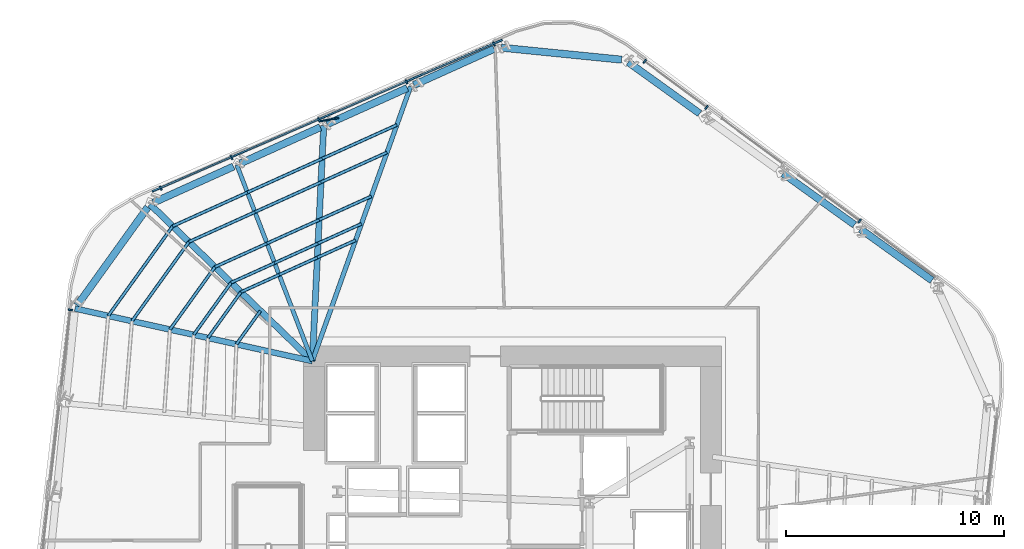
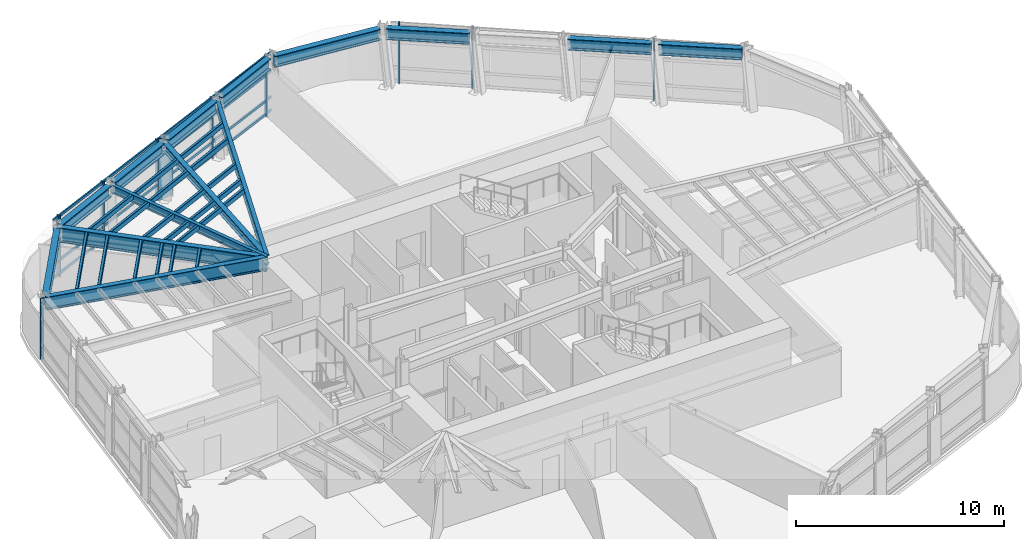
# One storey, part 6 of 16: 35 members, 14 beams, 3 elements without a shape of their own.
"""IFC4 building model written with IfcOpenShell, lengths in metres."""

from ifc_helpers import new_model, si_unit, direction, frame, origin, origin_2d, place, context, subcontext, project, spatial, rectangle, hollow_rectangle, i_section, extrude, material, layer, layer_set, material_profile, profile_set, type_object, element, aggregate, save


model = new_model("IFC4")

# Units and contexts
model_context = context("Model", 3, precision=1e-05, world=origin(), true_north=direction((0.0, 1.0)))
body_context = subcontext(model_context, "Body", "Model", "MODEL_VIEW")
ifc_project = project(units=[si_unit("LENGTHUNIT", "METRE"), si_unit("AREAUNIT", "SQUARE_METRE"), si_unit("VOLUMEUNIT", "CUBIC_METRE"), si_unit("PLANEANGLEUNIT", "RADIAN"), si_unit("MASSUNIT", "GRAM", prefix="KILO")], contexts=[model_context])

# Site, building, storey
site_placement = place(None, origin())
site = spatial("IfcSite", under=ifc_project, at=site_placement, CompositionType="ELEMENT")
building_placement = place(site_placement, origin())
building = spatial("IfcBuilding", under=site, at=building_placement, Name="Valkerne Bourse Tower", CompositionType="ELEMENT")
storey_placement = place(building_placement, frame((0.0, 0.0, 123.800048828125)))
storey = spatial("IfcBuildingStorey", under=building, at=storey_placement, Name="L31", CompositionType="ELEMENT", Elevation=123.800048828125)

# Beams
ifc_material_1 = material(Name="Steel ASTM A992", Category="steel")
ifc_material_profile_1 = material_profile(ifc_material_1, i_section(OverallWidth=0.1904296875, OverallDepth=0.457275390625, WebThickness=0.009033203125, FlangeThickness=0.014404296875, FilletRadius=0.01513671875, at=origin_2d()), Name="W18X50")
ifc_profile_set_1 = profile_set([ifc_material_profile_1], Name="Steel ASTM A992")
beam_type_1 = type_object("IfcBeamType", Name="BM-W18X50", PredefinedType="JOIST", material=ifc_profile_set_1)
beam_1_placement = place(storey_placement, frame((34.12744140625, 44.415771484375, 3.351318359375), z_axis=(0.359431150045, -0.933171607143, 0.0), x_axis=(0.933171607143, 0.359431150045, 0.0)))
element("IfcBeam", 1, at=beam_1_placement, inside=storey, type_object=beam_type_1, Name="L31 Radial Composite Floor Beam 08", PredefinedType="JOIST", context=body_context, shape_type="SweptSolid", body=[
    extrude(i_section(OverallWidth=0.1904296875, OverallDepth=0.457275390625, WebThickness=0.009033203125, FlangeThickness=0.014404296875, FilletRadius=0.01513671875, at=origin_2d()), origin(), (0.0, 0.0, 1.0), 9.66162109375),
])
ifc_material_profile_2 = material_profile(ifc_material_1, i_section(OverallWidth=0.279296875, OverallDepth=0.46240234375, WebThickness=0.0107421875, FlangeThickness=0.017333984375, FilletRadius=0.017822265625, at=origin_2d()), Name="W18X76")
ifc_profile_set_2 = profile_set([ifc_material_profile_2], Name="Steel ASTM A992")
beam_type_2 = type_object("IfcBeamType", Name="BM-W18X76", PredefinedType="BEAM", material=ifc_profile_set_2)
beam_2_placement = place(storey_placement, frame((38.1220703125, 46.219482421875, 3.3486328125), z_axis=(-0.048187294334, -0.998838317579, 0.0), x_axis=(0.998838317579, -0.048187294334, 0.0)))
element("IfcBeam", 2, at=beam_2_placement, inside=storey, type_object=beam_type_2, Name="L31 Radial Composite Floor Beam 07", PredefinedType="BEAM", context=body_context, shape_type="SweptSolid", body=[
    extrude(i_section(OverallWidth=0.279296875, OverallDepth=0.46240234375, WebThickness=0.0107421875, FlangeThickness=0.017333984375, FilletRadius=0.017822265625, at=origin_2d()), origin(), (0.0, 0.0, 1.0), 10.832275390625),
])
ifc_material_profile_3 = material_profile(ifc_material_1, i_section(OverallWidth=0.209228515625, OverallDepth=0.533447265625, WebThickness=0.01025390625, FlangeThickness=0.015625, FilletRadius=0.017822265625, at=origin_2d()), Name="W21X62")
ifc_profile_set_3 = profile_set([ifc_material_profile_3], Name="Steel ASTM A992")
beam_type_3 = type_object("IfcBeamType", Name="BM-W21X62", PredefinedType="JOIST", material=ifc_profile_set_3)
beam_3_placement = place(storey_placement, frame((42.11669921875, 48.023193359375, 3.313232421875), z_axis=(-0.33688428687, -0.941546056898, 0.0), x_axis=(0.941546056898, -0.33688428687, 0.0)))
element("IfcBeam", 3, at=beam_3_placement, inside=storey, type_object=beam_type_3, Name="L31 Radial Composite Floor Beam 06", PredefinedType="JOIST", context=body_context, shape_type="SweptSolid", body=[
    extrude(i_section(OverallWidth=0.209228515625, OverallDepth=0.533447265625, WebThickness=0.01025390625, FlangeThickness=0.015625, FilletRadius=0.017822265625, at=origin_2d()), origin(), (0.0, 0.0, 1.0), 13.406982421875),
])
ifc_material_profile_4 = material_profile(ifc_material_1, i_section(OverallWidth=0.330078125, OverallDepth=0.647705078125, WebThickness=0.0205078125, FlangeThickness=0.037109375, FilletRadius=0.020263671875, at=origin_2d()), Name="W24X192")
ifc_profile_set_4 = profile_set([ifc_material_profile_4], Name="Steel ASTM A992")
beam_type_4 = type_object("IfcBeamType", Name="BM-W24X192", PredefinedType="SPANDREL", material=ifc_profile_set_4)
for number, where, z_axis, x_axis, name in (
    (4, (66.086181640625, 39.10888671875, 3.256103515625), (-0.812094066308, 0.583526543927, 0.0), (-0.583526543927, -0.812094066308, 0.0), "L31 Hexagonal Spandrel Ring Beam 00"),
    (5, (62.52685546875, 41.66650390625, 3.256103515625), (-0.812065449901, 0.583566367329, 0.0), (-0.583566367329, -0.812065449901, 0.0), "L31 Hexagonal Spandrel Ring Beam 01"),
    (6, (55.408203125, 46.781982421875, 3.256103515625), (-0.812094066308, 0.583526543927, 0.0), (-0.583526543927, -0.812094066308, 0.0), "L31 Hexagonal Spandrel Ring Beam 03"),
):
    element("IfcBeam", number, at=place(storey_placement, frame(where, z_axis=z_axis, x_axis=x_axis)), inside=storey, type_object=beam_type_4, Name=name, PredefinedType="SPANDREL", context=body_context, shape_type="SweptSolid", body=[
        extrude(i_section(OverallWidth=0.330078125, OverallDepth=0.647705078125, WebThickness=0.0205078125, FlangeThickness=0.037109375, FilletRadius=0.020263671875, at=origin_2d()), origin(), (0.0, 0.0, 1.0), 4.04296875),
    ])
beam_4_placement = place(storey_placement, frame((51.817626953125, 49.257080078125, 3.256103515625), z_axis=(-0.99505411784, 0.09933429705, 0.0), x_axis=(-0.09933429705, -0.99505411784, 0.0)))
element("IfcBeam", 7, at=beam_4_placement, inside=storey, type_object=beam_type_4, Name="L31 Hexagonal Spandrel Ring Beam 04", PredefinedType="SPANDREL", context=body_context, shape_type="SweptSolid", body=[
    extrude(i_section(OverallWidth=0.330078125, OverallDepth=0.647705078125, WebThickness=0.0205078125, FlangeThickness=0.037109375, FilletRadius=0.020263671875, at=origin_2d()), origin(), (0.0, 0.0, 1.0), 5.564453125),
])
for number, where, z_axis, x_axis, name in (
    (8, (45.95654296875, 49.7568359375, 3.256103515625), (-0.911397632839, -0.411526858, 0.0), (0.411526858, -0.911397632839, 0.0), "L31 Hexagonal Spandrel Ring Beam 05"),
    (9, (41.9619140625, 47.953125, 3.256103515625), (-0.911397632839, -0.411526858, 0.0), (0.411526858, -0.911397632839, 0.0), "L31 Hexagonal Spandrel Ring Beam 06"),
):
    element("IfcBeam", number, at=place(storey_placement, frame(where, z_axis=z_axis, x_axis=x_axis)), inside=storey, type_object=beam_type_4, Name=name, PredefinedType="SPANDREL", context=body_context, shape_type="SweptSolid", body=[
        extrude(i_section(OverallWidth=0.330078125, OverallDepth=0.647705078125, WebThickness=0.0205078125, FlangeThickness=0.037109375, FilletRadius=0.020263671875, at=origin_2d()), origin(), (0.0, 0.0, 1.0), 4.04296875),
    ])
beam_5_placement = place(storey_placement, frame((37.96728515625, 46.1494140625, 3.256103515625), z_axis=(-0.911407858534, -0.411504210674, 0.0), x_axis=(0.411504210674, -0.911407858534, 0.0)))
element("IfcBeam", 10, at=beam_5_placement, inside=storey, type_object=beam_type_4, Name="L31 Hexagonal Spandrel Ring Beam 07", PredefinedType="SPANDREL", context=body_context, shape_type="SweptSolid", body=[
    extrude(i_section(OverallWidth=0.330078125, OverallDepth=0.647705078125, WebThickness=0.0205078125, FlangeThickness=0.037109375, FilletRadius=0.020263671875, at=origin_2d()), origin(), (0.0, 0.0, 1.0), 4.043212890625),
])
beam_6_placement = place(storey_placement, frame((33.972412109375, 44.345703125, 3.256103515625), z_axis=(-0.911420280467, -0.411476697218, 0.0), x_axis=(0.411476697218, -0.911420280467, 0.0)))
element("IfcBeam", 11, at=beam_6_placement, inside=storey, type_object=beam_type_4, Name="L31 Hexagonal Spandrel Ring Beam 08", PredefinedType="SPANDREL", context=body_context, shape_type="SweptSolid", body=[
    extrude(i_section(OverallWidth=0.330078125, OverallDepth=0.647705078125, WebThickness=0.0205078125, FlangeThickness=0.037109375, FilletRadius=0.020263671875, at=origin_2d()), origin(), (0.0, 0.0, 1.0), 4.04296875),
])
beam_7_placement = place(storey_placement, frame((30.033447265625, 42.47412109375, 3.256103515625), z_axis=(-0.583518518496, -0.812099832885, 0.0), x_axis=(0.812099832885, -0.583518518496, 0.0)))
element("IfcBeam", 12, at=beam_7_placement, inside=storey, type_object=beam_type_4, Name="L31 Hexagonal Spandrel Ring Beam 09", PredefinedType="SPANDREL", context=body_context, shape_type="SweptSolid", body=[
    extrude(i_section(OverallWidth=0.330078125, OverallDepth=0.647705078125, WebThickness=0.0205078125, FlangeThickness=0.037109375, FilletRadius=0.020263671875, at=origin_2d()), origin(), (0.0, 0.0, 1.0), 5.564697265625),
])
ifc_material_profile_5 = material_profile(ifc_material_1, i_section(OverallWidth=0.26806640625, OverallDepth=0.76953125, WebThickness=0.015625, FlangeThickness=0.025390625, FilletRadius=0.025390625, at=origin_2d()), Name="W30X132")
ifc_profile_set_5 = profile_set([ifc_material_profile_5], Name="Steel ASTM A992")
beam_type_5 = type_object("IfcBeamType", Name="BM-W30X132", PredefinedType="BEAM", material=ifc_profile_set_5)
beam_8_placement = place(storey_placement, frame((26.687255859375, 37.817138671875, 3.195068359375), z_axis=(0.976335359983, -0.216262028215, 0.0), x_axis=(0.216262028215, 0.976335359983, 0.0)))
element("IfcBeam", 13, at=beam_8_placement, inside=storey, type_object=beam_type_5, Name="L31 Radial Composite Floor Beam 10", PredefinedType="BEAM", context=body_context, shape_type="SweptSolid", body=[
    extrude(i_section(OverallWidth=0.26806640625, OverallDepth=0.76953125, WebThickness=0.015625, FlangeThickness=0.025390625, FilletRadius=0.025390625, at=origin_2d()), origin(), (0.0, 0.0, 1.0), 11.17724609375),
])
ifc_material_profile_6 = material_profile(ifc_material_1, i_section(OverallWidth=0.2919921875, OverallDepth=0.8583984375, WebThickness=0.01708984375, FlangeThickness=0.031005859375, FilletRadius=0.025390625, at=origin_2d()), Name="W33X169")
ifc_profile_set_6 = profile_set([ifc_material_profile_6], Name="Steel ASTM A992")
beam_type_6 = type_object("IfcBeamType", Name="BM-W33X169", PredefinedType="BEAM", material=ifc_profile_set_6)
beam_9_placement = place(storey_placement, frame((30.1328125, 42.612060546875, 3.150634765625), z_axis=(0.71928758579, -0.694712436141, 0.0), x_axis=(0.694712436141, 0.71928758579, 0.0)))
element("IfcBeam", 14, at=beam_9_placement, inside=storey, type_object=beam_type_6, Name="L31 Radial Composite Floor Beam 09", PredefinedType="BEAM", context=body_context, shape_type="SweptSolid", body=[
    extrude(i_section(OverallWidth=0.2919921875, OverallDepth=0.8583984375, WebThickness=0.01708984375, FlangeThickness=0.031005859375, FilletRadius=0.025390625, at=origin_2d()), origin(), (0.0, 0.0, 1.0), 10.381591796875),
])

# Curtain wall, members
ifc_material_2 = material(Name="Aluminium AA 6063-T6", Category="aluminium")
ifc_layer = layer(ifc_material_2, 0.22998046875)
ifc_layer_set = layer_set([ifc_layer], Name="Aluminium AA 6063-T6")
curtain_wall_type = type_object("IfcCurtainWallType", Name="CW-02", PredefinedType="NOTDEFINED", material=ifc_layer_set)
curtain_wall_1_placement = place(storey_placement, origin())
curtain_wall_1 = element("IfcCurtainWall", 15, at=curtain_wall_1_placement, inside=storey, type_object=curtain_wall_type, Name="L31 Hexagonal Stick Curtain Wall Face 1", PredefinedType="NOTDEFINED")
ifc_material_profile_7 = material_profile(ifc_material_2, rectangle(XDim=0.074951171875, YDim=0.199951171875, at=origin_2d()), Name="CWM-75X200")
ifc_profile_set_7 = profile_set([ifc_material_profile_7], Name="Aluminium AA 6063-T6")
member_type_1 = type_object("IfcMemberType", Name="CW-MUL-220X75", PredefinedType="MULLION", material=ifc_profile_set_7)
member_1_placement = place(storey_placement, frame((62.75732421875, 41.839599609375, 0.0), z_axis=(0.0, 0.0, 1.0), x_axis=(-0.802816547758, 0.596226123753, 0.0)))
member_1 = element("IfcMember", 16, at=member_1_placement, type_object=member_type_1, Name="CW-L31-F1 Jamb Mullion 01A", PredefinedType="MULLION", context=body_context, shape_type="SweptSolid", body=[
    extrude(rectangle(XDim=0.074951171875, YDim=0.199951171875, at=origin_2d()), origin(), (0.0, 0.0, 1.0), 3.579833984375),
])
member_2_placement = place(storey_placement, frame((55.7197265625, 47.066162109375, 0.0), z_axis=(0.0, 0.0, 1.0), x_axis=(-0.802816547758, 0.596226123753, 0.0)))
member_2 = element("IfcMember", 17, at=member_2_placement, type_object=member_type_1, Name="CW-L31-F1 Jamb Mullion 03A", PredefinedType="MULLION", context=body_context, shape_type="SweptSolid", body=[
    extrude(rectangle(XDim=0.074951171875, YDim=0.199951171875, at=origin_2d()), origin(), (0.0, 0.0, 1.0), 3.579833984375),
])
member_3_placement = place(storey_placement, frame((52.87548828125, 49.1787109375, 0.0), z_axis=(0.0, 0.0, 1.0), x_axis=(-0.802816547758, 0.596226123753, 0.0)))
member_3 = element("IfcMember", 18, at=member_3_placement, type_object=member_type_1, Name="CW-L31-F1 Jamb Mullion 03B", PredefinedType="MULLION", context=body_context, shape_type="SweptSolid", body=[
    extrude(rectangle(XDim=0.074951171875, YDim=0.199951171875, at=origin_2d()), origin(), (0.0, 0.0, 1.0), 3.579833984375),
])
aggregate(curtain_wall_1, [member_1, member_2, member_3])

curtain_wall_2_placement = place(storey_placement, origin())
curtain_wall_2 = element("IfcCurtainWall", 19, at=curtain_wall_2_placement, inside=storey, type_object=curtain_wall_type, Name="L31 Hexagonal Stick Curtain Wall Face 2", PredefinedType="NOTDEFINED")
member_4_placement = place(storey_placement, frame((45.94970703125, 49.97998046875, 0.0), z_axis=(0.0, 0.0, 1.0), x_axis=(-0.917762208724, -0.397130366805, 0.0)))
member_4 = element("IfcMember", 20, at=member_4_placement, type_object=member_type_1, Name="CW-L31-F2 Jamb Mullion 00A", PredefinedType="MULLION", context=body_context, shape_type="SweptSolid", body=[
    extrude(rectangle(XDim=0.074951171875, YDim=0.199951171875, at=origin_2d()), origin(), (0.0, 0.0, 1.0), 3.579833984375),
])
member_5_placement = place(storey_placement, frame((41.927001953125, 48.2392578125, 0.0), z_axis=(0.0, 0.0, 1.0), x_axis=(-0.917753892922, -0.397149583944, 0.0)))
member_5 = element("IfcMember", 21, at=member_5_placement, type_object=member_type_1, Name="CW-L31-F2 Jamb Mullion 01A", PredefinedType="MULLION", context=body_context, shape_type="SweptSolid", body=[
    extrude(rectangle(XDim=0.074951171875, YDim=0.199951171875, at=origin_2d()), origin(), (0.0, 0.0, 1.0), 3.579833984375),
])
member_6_placement = place(storey_placement, frame((37.904541015625, 46.49853515625, 0.0), z_axis=(0.0, 0.0, 1.0), x_axis=(-0.917757491449, -0.397141268177, 0.0)))
member_6 = element("IfcMember", 22, at=member_6_placement, type_object=member_type_1, Name="CW-L31-F2 Jamb Mullion 02A", PredefinedType="MULLION", context=body_context, shape_type="SweptSolid", body=[
    extrude(rectangle(XDim=0.074951171875, YDim=0.199951171875, at=origin_2d()), origin(), (0.0, 0.0, 1.0), 3.579833984375),
])
member_7_placement = place(storey_placement, frame((33.882080078125, 44.7578125, 0.0), z_axis=(0.0, 0.0, 1.0), x_axis=(-0.917753892922, -0.397149583944, 0.0)))
member_7 = element("IfcMember", 23, at=member_7_placement, type_object=member_type_1, Name="CW-L31-F2 Jamb Mullion 03A", PredefinedType="MULLION", context=body_context, shape_type="SweptSolid", body=[
    extrude(rectangle(XDim=0.074951171875, YDim=0.199951171875, at=origin_2d()), origin(), (0.0, 0.0, 1.0), 3.579833984375),
])
member_8_placement = place(storey_placement, frame((30.63037109375, 43.350830078125, 0.0), z_axis=(0.0, 0.0, 1.0), x_axis=(-0.917753892922, -0.397149583944, 0.0)))
member_8 = element("IfcMember", 24, at=member_8_placement, type_object=member_type_1, Name="CW-L31-F2 Jamb Mullion 03B", PredefinedType="MULLION", context=body_context, shape_type="SweptSolid", body=[
    extrude(rectangle(XDim=0.074951171875, YDim=0.199951171875, at=origin_2d()), origin(), (0.0, 0.0, 1.0), 3.579833984375),
])

# Curtain wall, member
curtain_wall_3_placement = place(storey_placement, origin())
curtain_wall_3 = element("IfcCurtainWall", 25, at=curtain_wall_3_placement, inside=storey, type_object=curtain_wall_type, Name="L31 Hexagonal Stick Curtain Wall Face 3", PredefinedType="NOTDEFINED")
member_9_placement = place(storey_placement, frame((26.4736328125, 37.753662109375, 0.0), z_axis=(0.0, 0.0, 1.0), x_axis=(-0.114942781596, -0.993372114043, 0.0)))
member_9 = element("IfcMember", 26, at=member_9_placement, type_object=member_type_1, Name="CW-L31-F3 Jamb Mullion 00A", PredefinedType="MULLION", context=body_context, shape_type="SweptSolid", body=[
    extrude(rectangle(XDim=0.074951171875, YDim=0.199951171875, at=origin_2d()), origin(), (0.0, 0.0, 1.0), 3.579833984375),
])
aggregate(curtain_wall_3, [member_9])

# Member
ifc_material_profile_8 = material_profile(ifc_material_2, rectangle(XDim=0.074951171875, YDim=0.14990234375, at=origin_2d()), Name="CWT-75X150")
ifc_profile_set_8 = profile_set([ifc_material_profile_8], Name="Aluminium AA 6063-T6")
member_type_2 = type_object("IfcMemberType", Name="CW-TRN-180X65", PredefinedType="USERDEFINED", material=ifc_profile_set_8)
member_10_placement = place(storey_placement, frame((46.3271484375, 50.1650390625, 0.119873046875), z_axis=(-0.917757875149, -0.397140381479, 0.0), x_axis=(0.397140381479, -0.917757875149, 0.0)))
member_10 = element("IfcMember", 27, at=member_10_placement, type_object=member_type_2, Name="CW-L31-F2 Continuous Face Transom 1", ObjectType="TRANSOM", PredefinedType="USERDEFINED", context=body_context, shape_type="SweptSolid", body=[
    extrude(rectangle(XDim=0.074951171875, YDim=0.14990234375, at=origin_2d()), origin(), (0.0, 0.0, 1.0), 17.531982421875),
])

member_11_placement = place(storey_placement, frame((46.3271484375, 50.1650390625, 0.89990234375), z_axis=(-0.917757875149, -0.397140381479, 0.0), x_axis=(0.397140381479, -0.917757875149, 0.0)))
member_11 = element("IfcMember", 28, at=member_11_placement, type_object=member_type_2, Name="CW-L31-F2 Continuous Face Transom 2", ObjectType="TRANSOM", PredefinedType="USERDEFINED", context=body_context, shape_type="SweptSolid", body=[
    extrude(rectangle(XDim=0.074951171875, YDim=0.14990234375, at=origin_2d()), origin(), (0.0, 0.0, 1.0), 17.531982421875),
])

member_12_placement = place(storey_placement, frame((46.3271484375, 50.1650390625, 2.39990234375), z_axis=(-0.917757875149, -0.397140381479, 0.0), x_axis=(0.397140381479, -0.917757875149, 0.0)))
member_12 = element("IfcMember", 29, at=member_12_placement, type_object=member_type_2, Name="CW-L31-F2 Continuous Face Transom 3", ObjectType="TRANSOM", PredefinedType="USERDEFINED", context=body_context, shape_type="SweptSolid", body=[
    extrude(rectangle(XDim=0.074951171875, YDim=0.14990234375, at=origin_2d()), origin(), (0.0, 0.0, 1.0), 17.531982421875),
])

member_13_placement = place(storey_placement, frame((46.3271484375, 50.1650390625, 3.5), z_axis=(-0.917757875149, -0.397140381479, 0.0), x_axis=(0.397140381479, -0.917757875149, 0.0)))
member_13 = element("IfcMember", 30, at=member_13_placement, type_object=member_type_2, Name="CW-L31-F2 Continuous Face Transom 4", ObjectType="TRANSOM", PredefinedType="USERDEFINED", context=body_context, shape_type="SweptSolid", body=[
    extrude(rectangle(XDim=0.074951171875, YDim=0.14990234375, at=origin_2d()), origin(), (0.0, 0.0, 1.0), 17.531982421875),
])

aggregate(curtain_wall_2, [member_10, member_11, member_12, member_13, member_4, member_5, member_6, member_7, member_8])

# Members
ifc_material_3 = material(Name="Bronze Anodised Aluminium AA 6063-T6", Category="aluminium")
ifc_material_profile_9 = material_profile(ifc_material_3, rectangle(XDim=0.070068359375, YDim=0.89990234375, at=origin_2d()), Name="FIN-70X900")
ifc_profile_set_9 = profile_set([ifc_material_profile_9], Name="Bronze Anodised Aluminium AA 6063-T6")
member_type_3 = type_object("IfcMemberType", Name="FIN-SOLAR-900", PredefinedType="USERDEFINED", material=ifc_profile_set_9)
member_14_placement = place(storey_placement, frame((38.361572265625, 46.500244140625, 0.00390625), z_axis=(0.0, 0.0, 1.0), x_axis=(-0.17798307726, 0.984033548315, 0.0)))
element("IfcMember", 31, at=member_14_placement, inside=storey, type_object=member_type_3, Name="L31 Bronze Anodised Solar Fin F2-02", ObjectType="SOLAR_FIN", PredefinedType="USERDEFINED", context=body_context, shape_type="SweptSolid", body=[
    extrude(rectangle(XDim=0.070068359375, YDim=0.89990234375, at=origin_2d()), origin(), (0.0, 0.0, 1.0), 3.572021484375),
])
ifc_material_4 = material(Name="Steel ASTM A500 Grade C", Category="steel")
ifc_material_profile_10 = material_profile(ifc_material_4, hollow_rectangle(XDim=0.14990234375, YDim=0.300048828125, WallThickness=0.012451171875, OuterFilletRadius=0.02490234375, at=origin_2d()), Name="HSS300X150X12.5")
ifc_profile_set_10 = profile_set([ifc_material_profile_10], Name="Steel ASTM A500 Grade C")
member_type_4 = type_object("IfcMemberType", Name="MBR-HSS300X150X12.5", PredefinedType="PURLIN", material=ifc_profile_set_10)
member_15_placement = place(storey_placement, frame((35.21044921875, 37.7080078125, 3.419921875), z_axis=(-0.583521556993, -0.812097649624, 0.0), x_axis=(0.812097649624, -0.583521556993, 0.0)))
element("IfcMember", 32, at=member_15_placement, inside=storey, type_object=member_type_4, Name="L31 Secondary Composite Floor Purlin I-09", PredefinedType="PURLIN", context=body_context, shape_type="SweptSolid", body=[
    extrude(hollow_rectangle(XDim=0.14990234375, YDim=0.300048828125, WallThickness=0.012451171875, OuterFilletRadius=0.02490234375, at=origin_2d()), origin(), (0.0, 0.0, 1.0), 1.889404296875),
])
member_16_placement = place(storey_placement, frame((39.58740234375, 40.9541015625, 3.419921875), z_axis=(-0.911399699503, -0.411522280984, 0.0), x_axis=(0.411522280984, -0.911399699503, 0.0)))
element("IfcMember", 33, at=member_16_placement, inside=storey, type_object=member_type_4, Name="L31 Secondary Composite Floor Purlin K-06", PredefinedType="PURLIN", context=body_context, shape_type="SweptSolid", body=[
    extrude(hollow_rectangle(XDim=0.14990234375, YDim=0.300048828125, WallThickness=0.012451171875, OuterFilletRadius=0.02490234375, at=origin_2d()), origin(), (0.0, 0.0, 1.0), 1.9287109375),
])
for number, where, z_axis, x_axis, name in (
    (34, (37.82958984375, 40.160400390625, 3.419921875), (-0.911425741576, -0.411464600656, 0.0), (0.411464600656, -0.911425741576, 0.0), "L31 Secondary Composite Floor Purlin K-07"),
    (35, (36.072021484375, 39.366943359375, 3.419921875), (-0.911378258838, -0.411569762395, 0.0), (0.411569762395, -0.911378258838, 0.0), "L31 Secondary Composite Floor Purlin K-08"),
):
    element("IfcMember", number, at=place(storey_placement, frame(where, z_axis=z_axis, x_axis=x_axis)), inside=storey, type_object=member_type_4, Name=name, PredefinedType="PURLIN", context=body_context, shape_type="SweptSolid", body=[
        extrude(hollow_rectangle(XDim=0.14990234375, YDim=0.300048828125, WallThickness=0.012451171875, OuterFilletRadius=0.02490234375, at=origin_2d()), origin(), (0.0, 0.0, 1.0), 1.928466796875),
    ])
member_17_placement = place(storey_placement, frame((34.314453125, 38.5732421875, 3.419921875), z_axis=(-0.583546976872, -0.812079383917, 0.0), x_axis=(0.812079383917, -0.583546976872, 0.0)))
element("IfcMember", 36, at=member_17_placement, inside=storey, type_object=member_type_4, Name="L31 Secondary Composite Floor Purlin K-09", PredefinedType="PURLIN", context=body_context, shape_type="SweptSolid", body=[
    extrude(hollow_rectangle(XDim=0.14990234375, YDim=0.300048828125, WallThickness=0.012451171875, OuterFilletRadius=0.02490234375, at=origin_2d()), origin(), (0.0, 0.0, 1.0), 2.59814453125),
])
member_18_placement = place(storey_placement, frame((39.8583984375, 41.711669921875, 3.419921875), z_axis=(-0.911397558092, -0.411527023541, 0.0), x_axis=(0.411527023541, -0.911397558092, 0.0)))
element("IfcMember", 37, at=member_18_placement, inside=storey, type_object=member_type_4, Name="L31 Secondary Composite Floor Purlin M-06", PredefinedType="PURLIN", context=body_context, shape_type="SweptSolid", body=[
    extrude(hollow_rectangle(XDim=0.14990234375, YDim=0.300048828125, WallThickness=0.012451171875, OuterFilletRadius=0.02490234375, at=origin_2d()), origin(), (0.0, 0.0, 1.0), 2.19140625),
])
for number, where, z_axis, x_axis, name in (
    (38, (37.861083984375, 40.809814453125, 3.419921875), (-0.911355771534, -0.411619554555, 0.0), (0.411619554555, -0.911355771534, 0.0), "L31 Secondary Composite Floor Purlin M-07"),
    (39, (35.86376953125, 39.90771484375, 3.419921875), (-0.91145819539, -0.411392705399, 0.0), (0.411392705399, -0.91145819539, 0.0), "L31 Secondary Composite Floor Purlin M-08"),
):
    element("IfcMember", number, at=place(storey_placement, frame(where, z_axis=z_axis, x_axis=x_axis)), inside=storey, type_object=member_type_4, Name=name, PredefinedType="PURLIN", context=body_context, shape_type="SweptSolid", body=[
        extrude(hollow_rectangle(XDim=0.14990234375, YDim=0.300048828125, WallThickness=0.012451171875, OuterFilletRadius=0.02490234375, at=origin_2d()), origin(), (0.0, 0.0, 1.0), 2.191650390625),
    ])
member_19_placement = place(storey_placement, frame((33.8662109375, 39.006103515625, 3.419921875), z_axis=(-0.583520168548, -0.81209864727, 0.0), x_axis=(0.81209864727, -0.583520168548, 0.0)))
element("IfcMember", 40, at=member_19_placement, inside=storey, type_object=member_type_4, Name="L31 Secondary Composite Floor Purlin M-09", PredefinedType="PURLIN", context=body_context, shape_type="SweptSolid", body=[
    extrude(hollow_rectangle(XDim=0.14990234375, YDim=0.300048828125, WallThickness=0.012451171875, OuterFilletRadius=0.02490234375, at=origin_2d()), origin(), (0.0, 0.0, 1.0), 2.9521484375),
])
member_20_placement = place(storey_placement, frame((41.03271484375, 44.99365234375, 3.419921875), z_axis=(-0.911392769806, -0.411537627862, 0.0), x_axis=(0.411537627862, -0.911392769806, 0.0)))
element("IfcMember", 41, at=member_20_placement, inside=storey, type_object=member_type_4, Name="L31 Secondary Composite Floor Purlin O-06", PredefinedType="PURLIN", context=body_context, shape_type="SweptSolid", body=[
    extrude(hollow_rectangle(XDim=0.14990234375, YDim=0.300048828125, WallThickness=0.012451171875, OuterFilletRadius=0.02490234375, at=origin_2d()), origin(), (0.0, 0.0, 1.0), 3.3310546875),
])
member_21_placement = place(storey_placement, frame((37.996826171875, 43.622802734375, 3.419921875), z_axis=(-0.911405181623, -0.411510139499, 0.0), x_axis=(0.411510139499, -0.911405181623, 0.0)))
element("IfcMember", 42, at=member_21_placement, inside=storey, type_object=member_type_4, Name="L31 Secondary Composite Floor Purlin O-07", PredefinedType="PURLIN", context=body_context, shape_type="SweptSolid", body=[
    extrude(hollow_rectangle(XDim=0.14990234375, YDim=0.300048828125, WallThickness=0.012451171875, OuterFilletRadius=0.02490234375, at=origin_2d()), origin(), (0.0, 0.0, 1.0), 3.331298828125),
])
member_22_placement = place(storey_placement, frame((34.960693359375, 42.251953125, 3.419921875), z_axis=(-0.911392769806, -0.411537627862, 0.0), x_axis=(0.411537627862, -0.911392769806, 0.0)))
element("IfcMember", 43, at=member_22_placement, inside=storey, type_object=member_type_4, Name="L31 Secondary Composite Floor Purlin O-08", PredefinedType="PURLIN", context=body_context, shape_type="SweptSolid", body=[
    extrude(hollow_rectangle(XDim=0.14990234375, YDim=0.300048828125, WallThickness=0.012451171875, OuterFilletRadius=0.02490234375, at=origin_2d()), origin(), (0.0, 0.0, 1.0), 3.3310546875),
])
member_23_placement = place(storey_placement, frame((31.9248046875, 40.881103515625, 3.419921875), z_axis=(-0.583526175716, -0.812094330884, 0.0), x_axis=(0.812094330884, -0.583526175716, 0.0)))
element("IfcMember", 44, at=member_23_placement, inside=storey, type_object=member_type_4, Name="L31 Secondary Composite Floor Purlin O-09", PredefinedType="PURLIN", context=body_context, shape_type="SweptSolid", body=[
    extrude(hollow_rectangle(XDim=0.14990234375, YDim=0.300048828125, WallThickness=0.012451171875, OuterFilletRadius=0.02490234375, at=origin_2d()), origin(), (0.0, 0.0, 1.0), 4.4873046875),
])
member_24_placement = place(storey_placement, frame((40.31005859375, 42.973876953125, 3.419921875), z_axis=(-0.911387449294, -0.411549410484, 0.0), x_axis=(0.411549410484, -0.911387449294, 0.0)))
element("IfcMember", 45, at=member_24_placement, inside=storey, type_object=member_type_4, Name="L31 Secondary Composite Floor Purlin Z-06", PredefinedType="PURLIN", context=body_context, shape_type="SweptSolid", body=[
    extrude(hollow_rectangle(XDim=0.14990234375, YDim=0.300048828125, WallThickness=0.012451171875, OuterFilletRadius=0.02490234375, at=origin_2d()), origin(), (0.0, 0.0, 1.0), 2.629638671875),
])
member_25_placement = place(storey_placement, frame((37.913330078125, 41.8916015625, 3.419921875), z_axis=(-0.911403171486, -0.411514591485, 0.0), x_axis=(0.411514591485, -0.911403171486, 0.0)))
element("IfcMember", 46, at=member_25_placement, inside=storey, type_object=member_type_4, Name="L31 Secondary Composite Floor Purlin Z-07", PredefinedType="PURLIN", context=body_context, shape_type="SweptSolid", body=[
    extrude(hollow_rectangle(XDim=0.14990234375, YDim=0.300048828125, WallThickness=0.012451171875, OuterFilletRadius=0.02490234375, at=origin_2d()), origin(), (0.0, 0.0, 1.0), 2.6298828125),
])
member_26_placement = place(storey_placement, frame((35.516357421875, 40.809326171875, 3.419921875), z_axis=(-0.911422269006, -0.411472292578, 0.0), x_axis=(0.411472292578, -0.911422269006, 0.0)))
element("IfcMember", 47, at=member_26_placement, inside=storey, type_object=member_type_4, Name="L31 Secondary Composite Floor Purlin Z-08", PredefinedType="PURLIN", context=body_context, shape_type="SweptSolid", body=[
    extrude(hollow_rectangle(XDim=0.14990234375, YDim=0.300048828125, WallThickness=0.012451171875, OuterFilletRadius=0.02490234375, at=origin_2d()), origin(), (0.0, 0.0, 1.0), 2.629638671875),
])
member_27_placement = place(storey_placement, frame((33.11962890625, 39.727294921875, 3.419921875), z_axis=(-0.583556526771, -0.812072521431, 0.0), x_axis=(0.812072521431, -0.583556526771, 0.0)))
element("IfcMember", 48, at=member_27_placement, inside=storey, type_object=member_type_4, Name="L31 Secondary Composite Floor Purlin Z-09", PredefinedType="PURLIN", context=body_context, shape_type="SweptSolid", body=[
    extrude(hollow_rectangle(XDim=0.14990234375, YDim=0.300048828125, WallThickness=0.012451171875, OuterFilletRadius=0.02490234375, at=origin_2d()), origin(), (0.0, 0.0, 1.0), 3.542724609375),
])
member_28_placement = place(storey_placement, frame((41.484375, 46.255859375, 3.419921875), z_axis=(-0.911386273804, -0.411552013628, 0.0), x_axis=(0.411552013628, -0.911386273804, 0.0)))
element("IfcMember", 49, at=member_28_placement, inside=storey, type_object=member_type_4, Name="L31 Secondary Composite Floor Purlin T-06", PredefinedType="PURLIN", context=body_context, shape_type="SweptSolid", body=[
    extrude(hollow_rectangle(XDim=0.14990234375, YDim=0.300048828125, WallThickness=0.012451171875, OuterFilletRadius=0.02490234375, at=origin_2d()), origin(), (0.0, 0.0, 1.0), 3.769287109375),
])
for number, where, z_axis, x_axis, name in (
    (50, (38.049072265625, 44.70458984375, 3.419921875), (-0.91142153415, -0.4114739203, 0.0), (0.4114739203, -0.91142153415, 0.0), "L31 Secondary Composite Floor Purlin T-07"),
    (51, (34.613525390625, 43.153564453125, 3.419921875), (-0.911397243347, -0.411527720596, 0.0), (0.411527720596, -0.911397243347, 0.0), "L31 Secondary Composite Floor Purlin T-08"),
):
    element("IfcMember", number, at=place(storey_placement, frame(where, z_axis=z_axis, x_axis=x_axis)), inside=storey, type_object=member_type_4, Name=name, PredefinedType="PURLIN", context=body_context, shape_type="SweptSolid", body=[
        extrude(hollow_rectangle(XDim=0.14990234375, YDim=0.300048828125, WallThickness=0.012451171875, OuterFilletRadius=0.02490234375, at=origin_2d()), origin(), (0.0, 0.0, 1.0), 3.76953125),
    ])
member_29_placement = place(storey_placement, frame((31.177978515625, 41.602294921875, 3.419921875), z_axis=(-0.583519135225, -0.812099389746, 0.0), x_axis=(0.812099389746, -0.583519135225, 0.0)))
element("IfcMember", 52, at=member_29_placement, inside=storey, type_object=member_type_4, Name="L31 Secondary Composite Floor Purlin T-09", PredefinedType="PURLIN", context=body_context, shape_type="SweptSolid", body=[
    extrude(hollow_rectangle(XDim=0.14990234375, YDim=0.300048828125, WallThickness=0.012451171875, OuterFilletRadius=0.02490234375, at=origin_2d()), origin(), (0.0, 0.0, 1.0), 5.07763671875),
])

save(model, "model.ifc")
